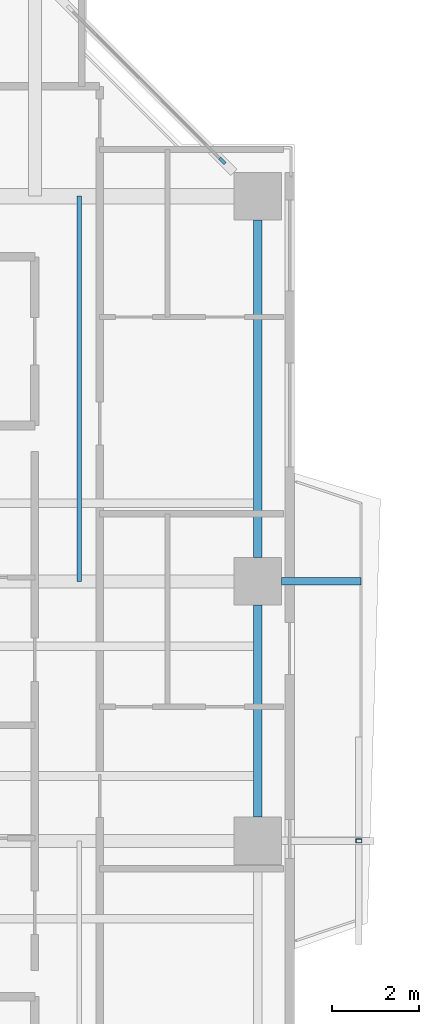
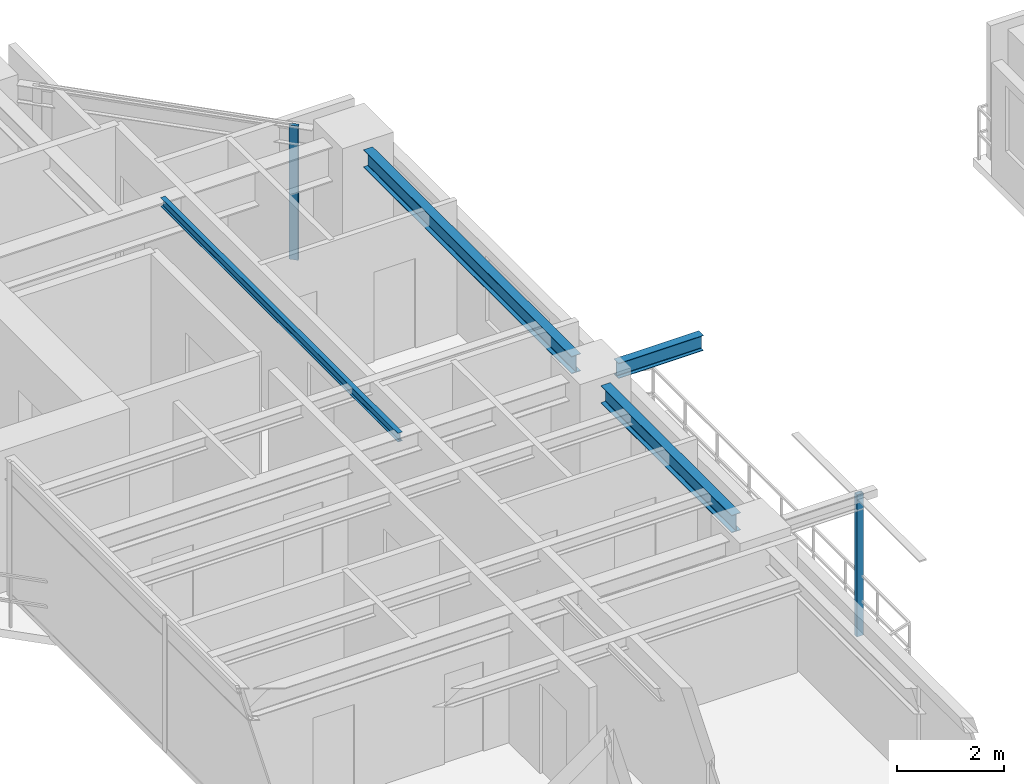
# One storey, part 7 of 23: 4 beams, 2 members, 1 element without a shape of its own.
"""IFC4 building model written with IfcOpenShell, lengths in metres."""

from ifc_helpers import new_model, si_unit, direction, frame, origin, origin_2d, place, context, subcontext, project, spatial, rectangle, hollow_rectangle, i_section, extrude, source, transform, mapped, material, layer, layer_set, material_profile, profile_set, type_object, element, aggregate, save


model = new_model("IFC4")

# Units and contexts
model_context = context("Model", 3, precision=1e-05, world=origin(), true_north=direction((0.0, 1.0)))
body_context = subcontext(model_context, "Body", "Model", "MODEL_VIEW")
ifc_project = project(units=[si_unit("LENGTHUNIT", "METRE"), si_unit("AREAUNIT", "SQUARE_METRE"), si_unit("VOLUMEUNIT", "CUBIC_METRE"), si_unit("PLANEANGLEUNIT", "RADIAN"), si_unit("MASSUNIT", "GRAM", prefix="KILO"), si_unit("THERMODYNAMICTEMPERATUREUNIT", "KELVIN"), si_unit("POWERUNIT", "WATT")], contexts=[model_context])

# Site, building, storey
site_placement = place(None, origin())
site = spatial("IfcSite", under=ifc_project, at=site_placement, CompositionType="ELEMENT")
building_placement = place(site_placement, origin())
building = spatial("IfcBuilding", under=site, at=building_placement, Name="Qiaomeng Ring Towers", CompositionType="ELEMENT")
storey_placement = place(building_placement, frame((0.0, 0.0, 103.5)))
storey = spatial("IfcBuildingStorey", under=building, at=storey_placement, Name="L29", CompositionType="ELEMENT", Elevation=103.5)

# Beams
ifc_material_1 = material(Name="Steel Q355B", Category="steel")
ifc_material_profile_1 = material_profile(ifc_material_1, i_section(OverallWidth=0.199951171875, OverallDepth=0.39990234375, WebThickness=0.008056640625, FlangeThickness=0.012939453125, FilletRadius=0.01611328125, at=origin_2d()), Name="HN 400x200x8x13")
ifc_profile_set_1 = profile_set([ifc_material_profile_1], Name="Steel Q355B")
beam_type_1 = type_object("IfcBeamType", Name="STR-BM-HN400", PredefinedType="SPANDREL", material=ifc_profile_set_1)
shared_shape_1 = source(origin(), body_context, "Body", "SweptSolid", [
    extrude(i_section(OverallWidth=0.199951171875, OverallDepth=0.39990234375, WebThickness=0.008056640625, FlangeThickness=0.012939453125, FilletRadius=0.01611328125, at=origin_2d()), origin(), (0.0, 0.0, 1.0), 7.802001953125),
])
beam_1_placement = place(storey_placement, frame((36.050048828125, 26.549072265625, 2.8701171875), z_axis=(0.0, 1.0, 0.0), x_axis=(-1.0, 0.0, 0.0)))
element("IfcBeam", 1, at=beam_1_placement, inside=storey, type_object=beam_type_1, Name="L29 beam STR-SP-L29-T1-E3-E4", PredefinedType="SPANDREL", context=body_context, shape_type="MappedRepresentation", body=[
    mapped(shared_shape_1, transform((0.0, 0.0, 0.0), x_axis=(1.0, 0.0, 0.0), y_axis=(0.0, 1.0, 0.0), z_axis=(0.0, 0.0, 1.0), scale=1.0)),
])
shared_shape_2 = source(origin(), body_context, "Body", "SweptSolid", [
    extrude(i_section(OverallWidth=0.199951171875, OverallDepth=0.39990234375, WebThickness=0.008056640625, FlangeThickness=0.012939453125, FilletRadius=0.01611328125, at=origin_2d()), origin(), (0.0, 0.0, 1.0), 4.90185546875),
])
beam_2_placement = place(storey_placement, frame((36.050048828125, 20.549072265625, 2.8701171875), z_axis=(0.0, 1.0, 0.0), x_axis=(-1.0, 0.0, 0.0)))
element("IfcBeam", 2, at=beam_2_placement, inside=storey, type_object=beam_type_1, Name="L29 beam STR-SP-L29-T1-E2-E3", PredefinedType="SPANDREL", context=body_context, shape_type="MappedRepresentation", body=[
    mapped(shared_shape_2, transform((0.0, 0.0, 0.0), x_axis=(1.0, 0.0, 0.0), y_axis=(0.0, 1.0, 0.0), z_axis=(0.0, 0.0, 1.0), scale=1.0)),
])
ifc_material_profile_2 = material_profile(ifc_material_1, i_section(OverallWidth=0.175048828125, OverallDepth=0.35009765625, WebThickness=0.007080078125, FlangeThickness=0.010986328125, FilletRadius=0.013916015625, at=origin_2d()), Name="HN 350x175x7x11")
ifc_profile_set_2 = profile_set([ifc_material_profile_2], Name="Steel Q355B")
beam_type_2 = type_object("IfcBeamType", Name="STR-BM-HN350", PredefinedType="JOIST", material=ifc_profile_set_2)
shared_shape_3 = source(origin(), body_context, "Body", "SweptSolid", [
    extrude(i_section(OverallWidth=0.175048828125, OverallDepth=0.35009765625, WebThickness=0.007080078125, FlangeThickness=0.010986328125, FilletRadius=0.013916015625, at=origin_2d()), origin(), (0.0, 0.0, 1.0), 1.8408203125),
])
beam_3_placement = place(storey_placement, frame((36.59912109375, 26.0, 2.89501953125), z_axis=(1.0, 0.0, 0.0), x_axis=(0.0, 1.0, 0.0)))
element("IfcBeam", 3, at=beam_3_placement, inside=storey, type_object=beam_type_2, Name="L29 beam STR-BALBM-L29-E3", PredefinedType="JOIST", context=body_context, shape_type="MappedRepresentation", body=[
    mapped(shared_shape_3, transform((0.0, 0.0, 0.0), x_axis=(1.0, 0.0, 0.0), y_axis=(0.0, 1.0, 0.0), z_axis=(0.0, 0.0, 1.0), scale=1.0)),
])
ifc_material_profile_3 = material_profile(ifc_material_1, i_section(OverallWidth=0.10009765625, OverallDepth=0.199951171875, WebThickness=0.005615234375, FlangeThickness=0.008056640625, FilletRadius=0.010986328125, at=origin_2d()), Name="HN 200x100x5.5x8")
ifc_profile_set_3 = profile_set([ifc_material_profile_3], Name="Steel Q355B")
beam_type_3 = type_object("IfcBeamType", Name="STR-BM-HN200", PredefinedType="JOIST", material=ifc_profile_set_3)
shared_shape_4 = source(origin(), body_context, "Body", "SweptSolid", [
    extrude(i_section(OverallWidth=0.10009765625, OverallDepth=0.199951171875, WebThickness=0.005615234375, FlangeThickness=0.008056640625, FilletRadius=0.010986328125, at=origin_2d()), origin(), (0.0, 0.0, 1.0), 8.89990234375),
])
beam_4_placement = place(storey_placement, frame((31.925048828125, 26.0, 2.969970703125), z_axis=(0.0, 1.0, 0.0), x_axis=(-1.0, 0.0, 0.0)))
element("IfcBeam", 4, at=beam_4_placement, inside=storey, type_object=beam_type_3, Name="L29 beam STR-JST-L29-T1C-EN", PredefinedType="JOIST", context=body_context, shape_type="MappedRepresentation", body=[
    mapped(shared_shape_4, transform((0.0, 0.0, 0.0), x_axis=(1.0, 0.0, 0.0), y_axis=(0.0, 1.0, 0.0), z_axis=(0.0, 0.0, 1.0), scale=1.0)),
])

# Curtain wall, member
ifc_material_2 = material(Name="Fluorocarbon dark-grey aluminium", Category="aluminium")
ifc_layer = layer(ifc_material_2, 0.14990234375, Name="Fluorocarbon dark-grey aluminium")
ifc_layer_set = layer_set([ifc_layer], Name="Fluorocarbon dark-grey aluminium")
curtain_wall_type = type_object("IfcCurtainWallType", Name="ARC-CW-3", PredefinedType="NOTDEFINED", material=ifc_layer_set)
curtain_wall_placement = place(storey_placement, origin())
curtain_wall = element("IfcCurtainWall", 5, at=curtain_wall_placement, inside=storey, type_object=curtain_wall_type, Name="L29 Curtain Wall CW3", PredefinedType="NOTDEFINED")
ifc_material_profile_4 = material_profile(ifc_material_2, rectangle(XDim=0.070068359375, YDim=0.179931640625, at=origin_2d()), Name="ALU MULL 70x180")
ifc_profile_set_4 = profile_set([ifc_material_profile_4], Name="Fluorocarbon dark-grey aluminium")
member_type_1 = type_object("IfcMemberType", Name="ARC-CWM-160", PredefinedType="MULLION", material=ifc_profile_set_4)
shared_shape_5 = source(origin(), body_context, "Body", "SweptSolid", [
    extrude(rectangle(XDim=0.070068359375, YDim=0.179931640625, at=origin_2d()), origin(), (0.0, 0.0, 1.0), 3.070068359375),
])
member_1_placement = place(storey_placement, frame((35.2353515625, 35.71484375, 0.0), z_axis=(0.0, 0.0, 1.0), x_axis=(-0.707106781187, -0.707106781187, 0.0)))
member_1 = element("IfcMember", 6, at=member_1_placement, type_object=member_type_1, Name="CW3 mullion 1", PredefinedType="MULLION", context=body_context, shape_type="MappedRepresentation", body=[
    mapped(shared_shape_5, transform((0.0, 0.0, 0.0), x_axis=(1.0, 0.0, 0.0), y_axis=(0.0, 1.0, 0.0), z_axis=(0.0, 0.0, 1.0), scale=1.0)),
])
aggregate(curtain_wall, [member_1])

# Member
ifc_material_3 = material(Name="Stainless steel 316", Category="steel")
ifc_material_profile_5 = material_profile(ifc_material_3, hollow_rectangle(XDim=0.090087890625, YDim=0.139892578125, WallThickness=0.0048828125, at=origin_2d()), Name="SS TRELLIS 90x140")
ifc_profile_set_5 = profile_set([ifc_material_profile_5], Name="Stainless steel 316")
member_type_2 = type_object("IfcMemberType", Name="ARC-TR-POST1", PredefinedType="STUD", material=ifc_profile_set_5)
shared_shape_6 = source(origin(), body_context, "Body", "SweptSolid", [
    extrude(hollow_rectangle(XDim=0.090087890625, YDim=0.139892578125, WallThickness=0.0048828125, at=origin_2d()), origin(), (0.0, 0.0, 1.0), 3.25),
])
member_2_placement = place(storey_placement, frame((38.389892578125, 20.0, -0.179931640625), z_axis=(0.0, 0.0, 1.0), x_axis=(0.0, 1.0, 0.0)))
element("IfcMember", 7, at=member_2_placement, inside=storey, type_object=member_type_2, Name="L29 Outer Ventilated Trellis Post E", PredefinedType="STUD", context=body_context, shape_type="MappedRepresentation", body=[
    mapped(shared_shape_6, transform((0.0, 0.0, 0.0), x_axis=(1.0, 0.0, 0.0), y_axis=(0.0, 1.0, 0.0), z_axis=(0.0, 0.0, 1.0), scale=1.0)),
])

save(model, "model.ifc")
